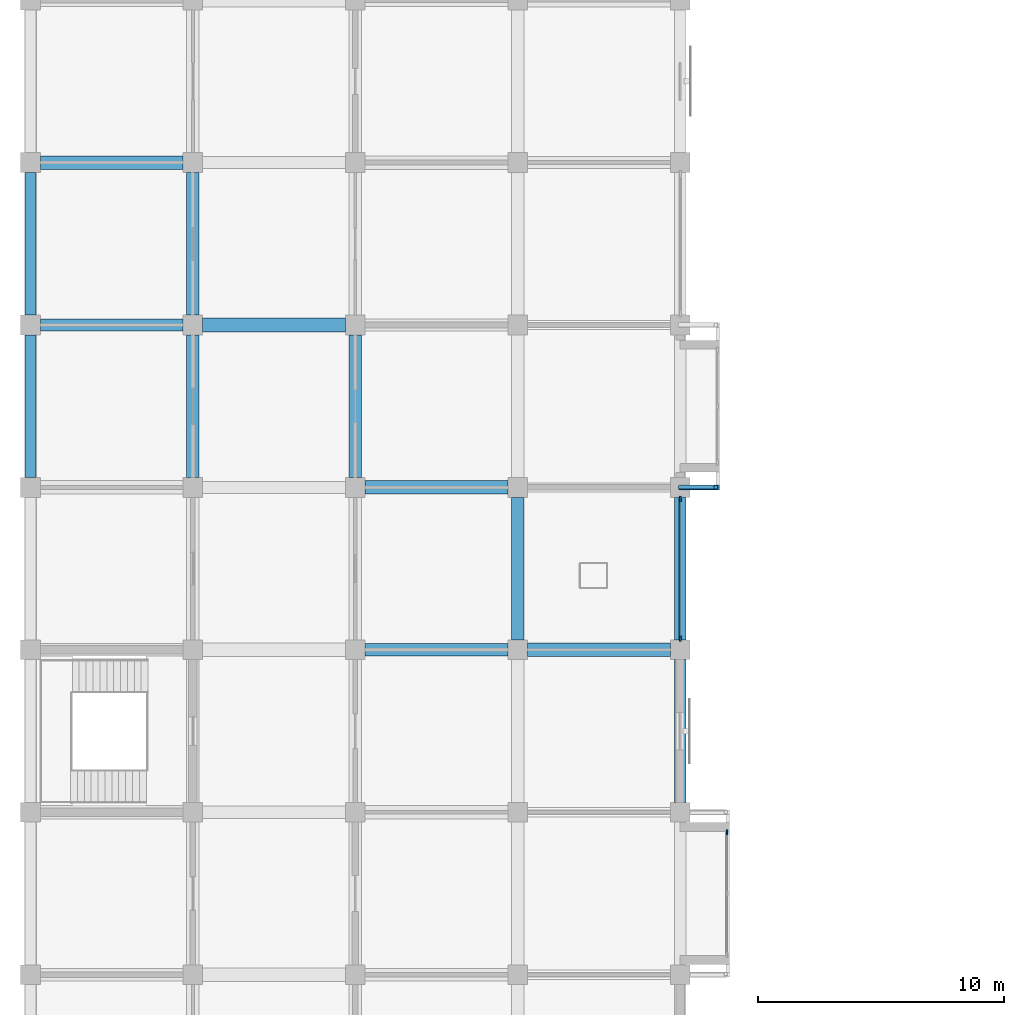
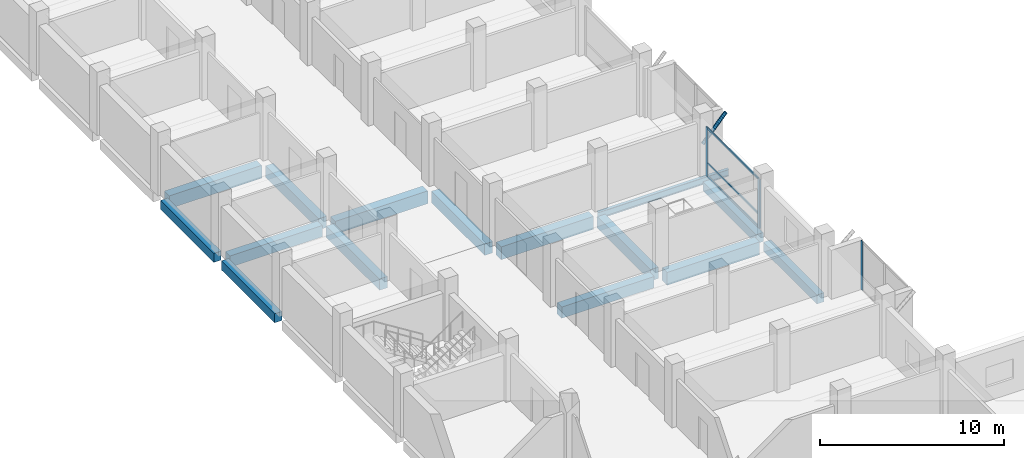
# One storey, part 10 of 30: 15 beams, 7 members, 2 elements without a shape of their own.
"""IFC4 building model written with IfcOpenShell, lengths in metres."""

from ifc_helpers import new_model, si_unit, direction, frame, origin, origin_2d, place, context, subcontext, project, spatial, rectangle, hollow_circle, i_section, extrude, material, material_profile, profile_set, type_object, element, aggregate, save


model = new_model("IFC4")

# Units and contexts
model_context = context("Model", 3, precision=1e-05, world=origin(), true_north=direction((0.0, 1.0)))
body_context = subcontext(model_context, "Body", "Model", "MODEL_VIEW")
ifc_project = project(units=[si_unit("LENGTHUNIT", "METRE"), si_unit("AREAUNIT", "SQUARE_METRE"), si_unit("VOLUMEUNIT", "CUBIC_METRE"), si_unit("PLANEANGLEUNIT", "RADIAN"), si_unit("MASSUNIT", "GRAM", prefix="KILO")], contexts=[model_context])

# Site, building, storey
site_placement = place(None, origin())
site = spatial("IfcSite", under=ifc_project, at=site_placement, CompositionType="ELEMENT")
building_placement = place(site_placement, origin())
building = spatial("IfcBuilding", under=site, at=building_placement, Name="Rusizi Kubbe Research Institute", CompositionType="ELEMENT")
storey_placement = place(building_placement, frame((0.0, 0.0, 10.199951171875)))
storey = spatial("IfcBuildingStorey", under=building, at=storey_placement, Name="L02", CompositionType="ELEMENT", Elevation=10.199951171875)

# Beams
ifc_material_1 = material(Name="Steel S355", Category="steel")
ifc_material_profile_1 = material_profile(ifc_material_1, i_section(OverallWidth=0.18994140625, OverallDepth=0.449951171875, WebThickness=0.009521484375, FlangeThickness=0.0146484375, at=origin_2d()), Name="IPE 450")
ifc_profile_set_1 = profile_set([ifc_material_profile_1], Name="Steel S355")
beam_type_1 = type_object("IfcBeamType", Name="BM-IPE450", PredefinedType="BEAM", material=ifc_profile_set_1)
beam_1_placement = place(storey_placement, frame((19.800048828125, 79.199951171875, -0.574951171875), z_axis=(1.0, 0.0, 0.0), x_axis=(0.0, 1.0, 0.0)))
element("IfcBeam", 1, at=beam_1_placement, inside=storey, type_object=beam_type_1, Name="Cumba Back-Spanned Cantilever Beam L02-3S", PredefinedType="BEAM", context=body_context, shape_type="SweptSolid", body=[
    extrude(i_section(OverallWidth=0.18994140625, OverallDepth=0.449951171875, WebThickness=0.009521484375, FlangeThickness=0.0146484375, at=origin_2d()), origin(), (0.0, 0.0, 1.0), 8.199951171875),
])
ifc_material_2 = material(Name="Concrete C40/50", Category="concrete")
ifc_material_profile_2 = material_profile(ifc_material_2, rectangle(XDim=0.449951171875, YDim=0.60009765625, at=origin_2d()), Name="RC450x600")
ifc_profile_set_2 = profile_set([ifc_material_profile_2], Name="Concrete C40/50")
beam_type_2 = type_object("IfcBeamType", Name="BM-RC450x600", PredefinedType="SPANDREL", material=ifc_profile_set_2)
beam_2_placement = place(storey_placement, frame((0.0, 79.60009765625, -0.64990234375), z_axis=(0.0, 1.0, 0.0), x_axis=(-1.0, 0.0, 0.0)))
element("IfcBeam", 2, at=beam_2_placement, inside=storey, type_object=beam_type_2, Name="Grid Beam V L02 (0,12)", PredefinedType="SPANDREL", context=body_context, shape_type="SweptSolid", body=[
    extrude(rectangle(XDim=0.449951171875, YDim=0.60009765625, at=origin_2d()), origin(), (0.0, 0.0, 1.0), 5.7998046875),
])
for number, where, z_axis, x_axis, name in (
    (3, (0.0, 86.199951171875, -0.64990234375), (0.0, 1.0, 0.0), (-1.0, 0.0, 0.0), "Grid Beam V L02 (0,13)"),
    (4, (26.39990234375, 66.39990234375, -0.64990234375), (0.0, 1.0, 0.0), (-1.0, 0.0, 0.0), "Grid Beam V L02 (4,10)"),
    (5, (26.39990234375, 73.0, -0.64990234375), (0.0, 1.0, 0.0), (-1.0, 0.0, 0.0), "Grid Beam V L02 (4,11)"),
):
    element("IfcBeam", number, at=place(storey_placement, frame(where, z_axis=z_axis, x_axis=x_axis)), inside=storey, type_object=beam_type_2, Name=name, PredefinedType="SPANDREL", context=body_context, shape_type="SweptSolid", body=[
        extrude(rectangle(XDim=0.449951171875, YDim=0.60009765625, at=origin_2d()), origin(), (0.0, 0.0, 1.0), 5.800048828125),
    ])
ifc_material_3 = material(Name="Concrete C45/55", Category="concrete")
ifc_material_profile_3 = material_profile(ifc_material_3, rectangle(XDim=0.5, YDim=0.75, at=origin_2d()), Name="RC500x750B")
ifc_profile_set_3 = profile_set([ifc_material_profile_3], Name="Concrete C45/55")
beam_type_3 = type_object("IfcBeamType", Name="BM-RC500x750", PredefinedType="BEAM", material=ifc_profile_set_3)
beam_3_placement = place(storey_placement, frame((0.39990234375, 85.800048828125, -0.724853515625), z_axis=(1.0, 0.0, 0.0), x_axis=(0.0, 1.0, 0.0)))
element("IfcBeam", 6, at=beam_3_placement, inside=storey, type_object=beam_type_3, Name="Grid Beam H L02 (0,13)", PredefinedType="BEAM", context=body_context, shape_type="SweptSolid", body=[
    extrude(rectangle(XDim=0.5, YDim=0.75, at=origin_2d()), origin(), (0.0, 0.0, 1.0), 5.800048828125),
])
for number, where, z_axis, x_axis, name in (
    (7, (13.60009765625, 72.60009765625, -0.724853515625), (1.0, 0.0, 0.0), (0.0, 1.0, 0.0), "Grid Beam H L02 (2,11)"),
    (8, (6.60009765625, 79.60009765625, -0.724853515625), (0.0, 1.0, 0.0), (-1.0, 0.0, 0.0), "Grid Beam V L02 (1,12)"),
):
    element("IfcBeam", number, at=place(storey_placement, frame(where, z_axis=z_axis, x_axis=x_axis)), inside=storey, type_object=beam_type_3, Name=name, PredefinedType="BEAM", context=body_context, shape_type="SweptSolid", body=[
        extrude(rectangle(XDim=0.5, YDim=0.75, at=origin_2d()), origin(), (0.0, 0.0, 1.0), 5.7998046875),
    ])
beam_4_placement = place(storey_placement, frame((6.60009765625, 86.199951171875, -0.724853515625), z_axis=(0.0, 1.0, 0.0), x_axis=(-1.0, 0.0, 0.0)))
element("IfcBeam", 9, at=beam_4_placement, inside=storey, type_object=beam_type_3, Name="Grid Beam V L02 (1,13)", PredefinedType="BEAM", context=body_context, shape_type="SweptSolid", body=[
    extrude(rectangle(XDim=0.5, YDim=0.75, at=origin_2d()), origin(), (0.0, 0.0, 1.0), 5.800048828125),
])
beam_5_placement = place(storey_placement, frame((13.199951171875, 79.60009765625, -0.724853515625), z_axis=(0.0, 1.0, 0.0), x_axis=(-1.0, 0.0, 0.0)))
element("IfcBeam", 10, at=beam_5_placement, inside=storey, type_object=beam_type_3, Name="Grid Beam V L02 (2,12)", PredefinedType="BEAM", context=body_context, shape_type="SweptSolid", body=[
    extrude(rectangle(XDim=0.5, YDim=0.75, at=origin_2d()), origin(), (0.0, 0.0, 1.0), 5.7998046875),
])
beam_6_placement = place(storey_placement, frame((19.800048828125, 73.0, -0.724853515625), z_axis=(0.0, 1.0, 0.0), x_axis=(-1.0, 0.0, 0.0)))
element("IfcBeam", 11, at=beam_6_placement, inside=storey, type_object=beam_type_3, Name="Grid Beam V L02 (3,11)", PredefinedType="BEAM", context=body_context, shape_type="SweptSolid", body=[
    extrude(rectangle(XDim=0.5, YDim=0.75, at=origin_2d()), origin(), (0.0, 0.0, 1.0), 5.800048828125),
])
ifc_material_4 = material(Name="Concrete C45/55", Category="concrete")
ifc_material_profile_4 = material_profile(ifc_material_4, rectangle(XDim=0.550048828125, YDim=0.85009765625, at=origin_2d()), Name="RC550x850")
ifc_profile_set_4 = profile_set([ifc_material_profile_4], Name="Concrete C45/55")
beam_type_4 = type_object("IfcBeamType", Name="BM-RC550x850", PredefinedType="BEAM", material=ifc_profile_set_4)
for number, where, z_axis, x_axis, name in (
    (12, (0.39990234375, 92.39990234375, -0.77490234375), (1.0, 0.0, 0.0), (0.0, 1.0, 0.0), "Grid Beam H L02 (0,14)"),
    (13, (7.0, 85.800048828125, -0.77490234375), (1.0, 0.0, 0.0), (0.0, 1.0, 0.0), "Grid Beam H L02 (1,13)"),
):
    element("IfcBeam", number, at=place(storey_placement, frame(where, z_axis=z_axis, x_axis=x_axis)), inside=storey, type_object=beam_type_4, Name=name, PredefinedType="BEAM", context=body_context, shape_type="SweptSolid", body=[
        extrude(rectangle(XDim=0.550048828125, YDim=0.85009765625, at=origin_2d()), origin(), (0.0, 0.0, 1.0), 5.800048828125),
    ])
beam_7_placement = place(storey_placement, frame((13.60009765625, 79.199951171875, -0.77490234375), z_axis=(1.0, 0.0, 0.0), x_axis=(0.0, 1.0, 0.0)))
element("IfcBeam", 14, at=beam_7_placement, inside=storey, type_object=beam_type_4, Name="Grid Beam H L02 (2,12)", PredefinedType="BEAM", context=body_context, shape_type="SweptSolid", body=[
    extrude(rectangle(XDim=0.550048828125, YDim=0.85009765625, at=origin_2d()), origin(), (0.0, 0.0, 1.0), 5.7998046875),
])
beam_8_placement = place(storey_placement, frame((20.199951171875, 72.60009765625, -0.77490234375), z_axis=(1.0, 0.0, 0.0), x_axis=(0.0, 1.0, 0.0)))
element("IfcBeam", 15, at=beam_8_placement, inside=storey, type_object=beam_type_4, Name="Grid Beam H L02 (3,11)", PredefinedType="BEAM", context=body_context, shape_type="SweptSolid", body=[
    extrude(rectangle(XDim=0.550048828125, YDim=0.85009765625, at=origin_2d()), origin(), (0.0, 0.0, 1.0), 5.800048828125),
])

# Member
ifc_material_5 = material(Name="Steel S355", Category="steel")
ifc_material_profile_5 = material_profile(ifc_material_5, hollow_circle(Radius=0.109619140625, WallThickness=0.008056640625, at=origin_2d()), Name="CHS 219.1x8.0")
ifc_profile_set_5 = profile_set([ifc_material_profile_5], Name="Steel S355")
member_type_1 = type_object("IfcMemberType", Name="MB-CHS219", PredefinedType="BRACE", material=ifc_profile_set_5)
member_1_placement = place(storey_placement, frame((26.39990234375, 79.199951171875, 1.85009765625), z_axis=(0.671602839617, 0.0, 0.74091134815), x_axis=(0.0, 1.0, 0.0)))
element("IfcMember", 16, at=member_1_placement, inside=storey, type_object=member_type_1, Name="Cumba Diagonal Corbel Brace L03-2S", PredefinedType="BRACE", context=body_context, shape_type="SweptSolid", body=[
    extrude(hollow_circle(Radius=0.109619140625, WallThickness=0.008056640625, at=origin_2d()), origin(), (0.0, 0.0, 1.0), 2.159423828125),
])

# Curtain wall, member
ifc_material_6 = material(Name="Thermally Broken Aluminium and Low-E Glazing", Category="aluminium")
curtain_wall_type_1 = type_object("IfcCurtainWallType", Name="CW-01", PredefinedType="NOTDEFINED", material=ifc_material_6)
curtain_wall_1_placement = place(storey_placement, origin())
curtain_wall_1 = element("IfcCurtainWall", 17, at=curtain_wall_1_placement, inside=storey, type_object=curtain_wall_type_1, Name="Cumba Glazed Curtain Wall CW-CUMBA-L02-020", PredefinedType="NOTDEFINED")
ifc_material_7 = material(Name="Aluminium Alloy 6063-T6", Category="aluminium")
ifc_material_profile_6 = material_profile(ifc_material_7, rectangle(XDim=0.06494140625, YDim=0.199951171875, at=origin_2d()), Name="ALU-M 65x200")
ifc_profile_set_6 = profile_set([ifc_material_profile_6], Name="Aluminium Alloy 6063-T6")
member_type_2 = type_object("IfcMemberType", Name="ML-03", PredefinedType="MULLION", material=ifc_profile_set_6)
member_2_placement = place(storey_placement, frame((28.300048828125, 65.18505859375, 0.0), z_axis=(0.0, 0.0, 1.0), x_axis=(-1.0, 0.0, 0.0)))
member_2 = element("IfcMember", 18, at=member_2_placement, type_object=member_type_2, Name="CW-01 mullion 3", PredefinedType="MULLION", context=body_context, shape_type="SweptSolid", body=[
    extrude(rectangle(XDim=0.06494140625, YDim=0.199951171875, at=origin_2d()), origin(), (0.0, 0.0, 1.0), 3.25),
])
aggregate(curtain_wall_1, [member_2])

# Curtain wall, members
ifc_material_8 = material(Name="Thermally Broken Aluminium and Low-E Glazing", Category="aluminium")
curtain_wall_type_2 = type_object("IfcCurtainWallType", Name="CW-05", PredefinedType="NOTDEFINED", material=ifc_material_8)
curtain_wall_2_placement = place(storey_placement, origin())
curtain_wall_2 = element("IfcCurtainWall", 19, at=curtain_wall_2_placement, inside=storey, type_object=curtain_wall_type_2, Name="Unitised Facade Curtain Wall CW-L02-V-04-11", PredefinedType="NOTDEFINED")
ifc_material_9 = material(Name="Aluminium Alloy 6063-T6", Category="aluminium")
ifc_material_profile_7 = material_profile(ifc_material_9, rectangle(XDim=0.070068359375, YDim=0.219970703125, at=origin_2d()), Name="ALU-M 70x220")
ifc_profile_set_7 = profile_set([ifc_material_profile_7], Name="Aluminium Alloy 6063-T6")
member_type_3 = type_object("IfcMemberType", Name="ML-04", PredefinedType="MULLION", material=ifc_profile_set_7)
member_3_placement = place(storey_placement, frame((26.39990234375, 73.06494140625, 0.0), z_axis=(0.0, 0.0, 1.0), x_axis=(-1.0, 0.0, 0.0)))
member_3 = element("IfcMember", 20, at=member_3_placement, type_object=member_type_3, Name="CW-05 mullion 1", PredefinedType="MULLION", context=body_context, shape_type="SweptSolid", body=[
    extrude(rectangle(XDim=0.070068359375, YDim=0.219970703125, at=origin_2d()), origin(), (0.0, 0.0, 1.0), 3.25),
])
member_4_placement = place(storey_placement, frame((26.39990234375, 78.735107421875, 0.0), z_axis=(0.0, 0.0, 1.0), x_axis=(-1.0, 0.0, 0.0)))
member_4 = element("IfcMember", 21, at=member_4_placement, type_object=member_type_3, Name="CW-05 mullion 2", PredefinedType="MULLION", context=body_context, shape_type="SweptSolid", body=[
    extrude(rectangle(XDim=0.070068359375, YDim=0.219970703125, at=origin_2d()), origin(), (0.0, 0.0, 1.0), 3.25),
])
ifc_material_10 = material(Name="Aluminium Alloy 6063-T6", Category="aluminium")
ifc_material_profile_8 = material_profile(ifc_material_10, rectangle(XDim=0.06005859375, YDim=0.139892578125, at=origin_2d()), Name="ALU-T 60x140")
ifc_profile_set_8 = profile_set([ifc_material_profile_8], Name="Aluminium Alloy 6063-T6")
member_type_4 = type_object("IfcMemberType", Name="TR-02", PredefinedType="USERDEFINED", material=ifc_profile_set_8)
member_5_placement = place(storey_placement, frame((26.39990234375, 73.10009765625, 0.030029296875), z_axis=(0.0, 1.0, 0.0), x_axis=(-1.0, 0.0, 0.0)))
member_5 = element("IfcMember", 22, at=member_5_placement, type_object=member_type_4, Name="CW-05 transom 1.1", ObjectType="TRANSOM", PredefinedType="USERDEFINED", context=body_context, shape_type="SweptSolid", body=[
    extrude(rectangle(XDim=0.06005859375, YDim=0.139892578125, at=origin_2d()), origin(), (0.0, 0.0, 1.0), 5.599853515625),
])
member_6_placement = place(storey_placement, frame((26.39990234375, 73.10009765625, 0.900146484375), z_axis=(0.0, 1.0, 0.0), x_axis=(-1.0, 0.0, 0.0)))
member_6 = element("IfcMember", 23, at=member_6_placement, type_object=member_type_4, Name="CW-05 transom 1.2", ObjectType="TRANSOM", PredefinedType="USERDEFINED", context=body_context, shape_type="SweptSolid", body=[
    extrude(rectangle(XDim=0.06005859375, YDim=0.139892578125, at=origin_2d()), origin(), (0.0, 0.0, 1.0), 5.599853515625),
])
member_7_placement = place(storey_placement, frame((26.39990234375, 73.10009765625, 3.219970703125), z_axis=(0.0, 1.0, 0.0), x_axis=(-1.0, 0.0, 0.0)))
member_7 = element("IfcMember", 24, at=member_7_placement, type_object=member_type_4, Name="CW-05 transom 1.3", ObjectType="TRANSOM", PredefinedType="USERDEFINED", context=body_context, shape_type="SweptSolid", body=[
    extrude(rectangle(XDim=0.06005859375, YDim=0.139892578125, at=origin_2d()), origin(), (0.0, 0.0, 1.0), 5.599853515625),
])
aggregate(curtain_wall_2, [member_3, member_4, member_5, member_6, member_7])

save(model, "model.ifc")
